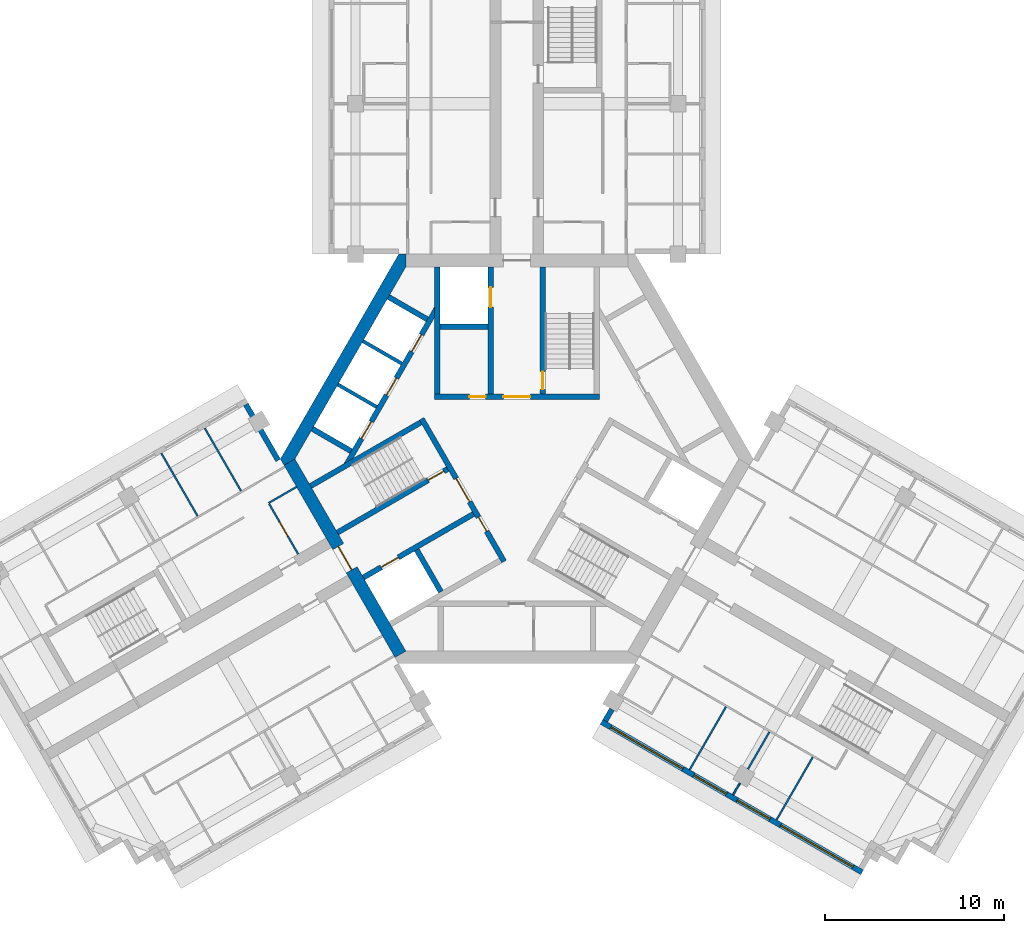
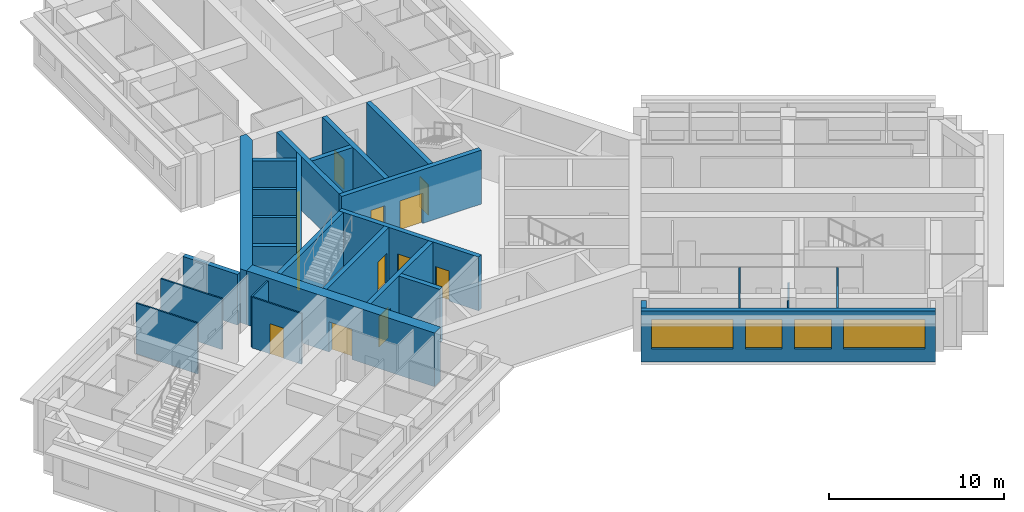
# One storey, part 4 of 10: 28 walls, 13 doors, 4 windows, 17 openings.
"""IFC4 building model written with IfcOpenShell, lengths in metres."""

import ifcopenshell
import ifcopenshell.guid

model = None  # the IFC model being written
_history = None  # IfcOwnerHistory: only IFC2X3 demands one
_inside = {}  # id of a spatial element -> (the spatial element, [elements in it])
_under = {}  # id of a project, library or spatial element -> (it, [spatial elements below it])
_declared = {}  # id of a project -> (the project, [libraries it declares])
_typed = {}  # id of a type object -> (the type object, [elements of that type])
_made_of = {}  # id of a material, layer set ... -> (it, [elements and type objects made of it])


def new_model(schema):
    """Start an empty IFC model of exactly this schema.

    Asked for "IFC4X3", IfcOpenShell would pick the latest addendum, in which some entities
    have other attributes; the version numbers below select the first issue.
    IFC2X3 requires an IfcOwnerHistory on every rooted entity: one is made here for all.
    """
    global model, _history
    if schema == "IFC4X3":
        model = ifcopenshell.file(schema_version=(4, 3, 0, 0))
    else:
        model = ifcopenshell.file(schema=schema)
    _inside.clear()
    _under.clear()
    _declared.clear()
    _typed.clear()
    _made_of.clear()
    _history = None
    if model.schema == "IFC2X3":
        org = make("IfcOrganization", Name="unknown")
        user = make(
            "IfcPersonAndOrganization",
            ThePerson=make("IfcPerson", FamilyName="unknown"),
            TheOrganization=org,
        )
        app = make(
            "IfcApplication",
            ApplicationDeveloper=org,
            Version="unknown",
            ApplicationFullName="unknown",
            ApplicationIdentifier="unknown",
        )
        _history = make(
            "IfcOwnerHistory",
            OwningUser=user,
            OwningApplication=app,
            ChangeAction="ADDED",
            CreationDate=0,
        )
    return model


def make(cls, **values):
    """One entity of the class cls with the attributes given. An attribute that is None is left unset."""
    return model.create_entity(
        cls, **{name: value for name, value in values.items() if value is not None}
    )


def rooted(cls, **values):
    """An entity with a GlobalId (a new one), such as an element, a storey or a relation."""
    return make(cls, GlobalId=ifcopenshell.guid.new(), OwnerHistory=_history, **values)


def si_unit(unit_type, name, prefix=None):
    """IfcSIUnit, for example si_unit("LENGTHUNIT", "METRE", prefix="MILLI")."""
    return make("IfcSIUnit", UnitType=unit_type, Prefix=prefix, Name=name)


def assignment(units):
    """IfcUnitAssignment: the units of a project."""
    return None if units is None else make("IfcUnitAssignment", Units=units)


def point(xyz):
    """IfcCartesianPoint."""
    return None if xyz is None else make("IfcCartesianPoint", Coordinates=xyz)


def direction(xyz):
    """IfcDirection."""
    return None if xyz is None else make("IfcDirection", DirectionRatios=xyz)


def frame(location, z_axis=None, x_axis=None):
    """IfcAxis2Placement3D, a coordinate frame: its origin and axes. An axis left out is left unset."""
    return make(
        "IfcAxis2Placement3D",
        Location=point(location),
        Axis=direction(z_axis),
        RefDirection=direction(x_axis),
    )


def frame_2d(location, x_axis=None):
    """IfcAxis2Placement2D, a coordinate frame in the plane: its origin and x axis."""
    return make(
        "IfcAxis2Placement2D", Location=point(location), RefDirection=direction(x_axis)
    )


def origin():
    """The frame at (0, 0, 0) with its axes left unset."""
    return frame((0.0, 0.0, 0.0))


def place(relative_to, where):
    """IfcLocalPlacement: puts the frame where relative to a parent placement (None: the world)."""
    return make(
        "IfcLocalPlacement", PlacementRelTo=relative_to, RelativePlacement=where
    )


def context(
    kind, dimensions, precision=None, world=None, true_north=None, identifier=None
):
    """IfcGeometricRepresentationContext, for example the 3D "Model" context."""
    return make(
        "IfcGeometricRepresentationContext",
        ContextIdentifier=identifier,
        ContextType=kind,
        CoordinateSpaceDimension=dimensions,
        Precision=precision,
        WorldCoordinateSystem=world,
        TrueNorth=true_north,
    )


def subcontext(parent, identifier, kind, view, scale=None):
    """IfcGeometricRepresentationSubContext, for example "Body" below "Model"."""
    return make(
        "IfcGeometricRepresentationSubContext",
        ContextIdentifier=identifier,
        ContextType=kind,
        ParentContext=parent,
        TargetScale=scale,
        TargetView=view,
    )


def project(units=None, contexts=None):
    """IfcProject with its units and contexts."""
    return rooted(
        "IfcProject",
        Name="project",
        RepresentationContexts=contexts,
        UnitsInContext=assignment(units),
    )


def spatial(cls, under=None, at=None, **own):
    """A site, building, storey or space (cls), placed at a placement, below another one or the project."""
    s = rooted(cls, ObjectPlacement=at, **own)
    if under is not None:
        _under.setdefault(under.id(), (under, []))[1].append(s)
    return s


def polyline(points):
    """IfcPolyline through the points."""
    return make("IfcPolyline", Points=[point(p) for p in points])


def profile(cls, at=None, kind="AREA", **sizes):
    """A parametric profile (cls). Its sizes go by their IFC names, for example OverallWidth=200.0."""
    return make(cls, ProfileType=kind, Position=at, **sizes)


def rectangle(**sizes):
    """IfcRectangleProfileDef."""
    return profile("IfcRectangleProfileDef", **sizes)


def outline(outer, holes=None, kind="AREA"):
    """IfcArbitraryClosedProfileDef: a profile drawn as a closed curve; with holes, ...WithVoids."""
    if holes is None:
        return make("IfcArbitraryClosedProfileDef", ProfileType=kind, OuterCurve=outer)
    return make(
        "IfcArbitraryProfileDefWithVoids",
        ProfileType=kind,
        OuterCurve=outer,
        InnerCurves=holes,
    )


def extrude(swept, where, along, depth):
    """IfcExtrudedAreaSolid: the profile swept, set in the frame where, extruded along a direction by depth."""
    return make(
        "IfcExtrudedAreaSolid",
        SweptArea=swept,
        Position=where,
        ExtrudedDirection=direction(along),
        Depth=depth,
    )


def shape(context_of_items, identifier, shape_type, items):
    """IfcShapeRepresentation: the items that make up one representation, for example the "Body"."""
    return make(
        "IfcShapeRepresentation",
        ContextOfItems=context_of_items,
        RepresentationIdentifier=identifier,
        RepresentationType=shape_type,
        Items=items,
    )


def material(Name=None, Category=None):
    """IfcMaterial."""
    return make("IfcMaterial", Name=Name, Category=Category)


def layer(
    of_material, thickness, ventilated=None, Name=None, Category=None, Priority=None
):
    """IfcMaterialLayer: one layer of a wall or slab, of a material (None: an air gap)."""
    return make(
        "IfcMaterialLayer",
        Material=of_material,
        LayerThickness=thickness,
        IsVentilated=ventilated,
        Name=Name,
        Category=Category,
        Priority=Priority,
    )


def layer_set(layers, Name=None):
    """IfcMaterialLayerSet."""
    return make("IfcMaterialLayerSet", MaterialLayers=layers, LayerSetName=Name)


def made_of(thing, what):
    """Note that an element or type object is made of a material, layer set ...; save() writes the relation."""
    if what is not None:
        _made_of.setdefault(what.id(), (what, []))[1].append(thing)
    return thing


def type_object(cls, material=None, **own):
    """A type object (cls), such as IfcWallType, which elements share."""
    return made_of(rooted(cls, **own), material)


def element(
    cls,
    number,
    at=None,
    inside=None,
    cuts=None,
    type_object=None,
    material=None,
    context=None,
    identifier="Body",
    shape_type=None,
    held_by="IfcProductDefinitionShape",
    body=None,
    shapes=None,
    **own,
):
    """One element of the class cls, such as IfcWall. Its Tag is "e" and its number.

    at: its placement. inside: the storey or other place that contains it. cuts: it is an
    opening in that element (IfcRelVoidsElement). A single representation is given by context,
    identifier, shape_type and body (its items); several are given by shapes. held_by: the class
    of the entity that holds the representations. save() writes the other relations.
    """
    e = rooted(cls, Tag="e%d" % number, ObjectPlacement=at, **own)
    if body is not None:
        shapes = [shape(context, identifier, shape_type, body)]
    if shapes is not None:
        e.Representation = make(held_by, Representations=shapes)
    if inside is not None:
        _inside.setdefault(inside.id(), (inside, []))[1].append(e)
    if cuts is not None:
        rooted(
            "IfcRelVoidsElement", RelatingBuildingElement=cuts, RelatedOpeningElement=e
        )
    if type_object is not None:
        _typed.setdefault(type_object.id(), (type_object, []))[1].append(e)
    return made_of(e, material)


def fill(opening, filler):
    """IfcRelFillsElement: the door or window that sits in an opening."""
    return rooted(
        "IfcRelFillsElement",
        RelatingOpeningElement=opening,
        RelatedBuildingElement=filler,
    )


def aggregate(whole, parts):
    """IfcRelAggregates: a whole, such as a stair, and the parts it consists of."""
    return rooted("IfcRelAggregates", RelatingObject=whole, RelatedObjects=parts)


def save(model, path):
    """Write the relations noted so far, then the file.

    IfcRelAggregates (storeys below a building ...), IfcRelContainedInSpatialStructure (elements
    in a storey), IfcRelDefinesByType, IfcRelAssociatesMaterial and IfcRelDeclares: one each for
    every whole, place, type object, material and project.
    """
    for whole, parts in _under.values():
        aggregate(whole, parts)
    for where, things in _inside.values():
        rooted(
            "IfcRelContainedInSpatialStructure",
            RelatedElements=things,
            RelatingStructure=where,
        )
    for kind, things in _typed.values():
        rooted("IfcRelDefinesByType", RelatedObjects=things, RelatingType=kind)
    for what, things in _made_of.values():
        rooted("IfcRelAssociatesMaterial", RelatedObjects=things, RelatingMaterial=what)
    for by, libraries in _declared.values():
        rooted("IfcRelDeclares", RelatingContext=by, RelatedDefinitions=libraries)
    model.write(path)


model = new_model("IFC4")

# Units and contexts
model_context = context("Model", 3, precision=1e-05, world=origin(), true_north=direction((0.0, 1.0)))
body_context = subcontext(model_context, "Body", "Model", "MODEL_VIEW")
ifc_project = project(units=[si_unit("LENGTHUNIT", "METRE"), si_unit("AREAUNIT", "SQUARE_METRE"), si_unit("VOLUMEUNIT", "CUBIC_METRE"), si_unit("PLANEANGLEUNIT", "RADIAN"), si_unit("MASSUNIT", "GRAM", prefix="KILO")], contexts=[model_context])

# Site, building, storey
site_placement = place(None, origin())
site = spatial("IfcSite", under=ifc_project, at=site_placement, CompositionType="ELEMENT")
building_placement = place(site_placement, origin())
building = spatial("IfcBuilding", under=site, at=building_placement, Name="Impinga Residences", CompositionType="ELEMENT")
storey_placement = place(building_placement, frame((0.0, 0.0, 267.25)))
storey = spatial("IfcBuildingStorey", under=building, at=storey_placement, Name="L67", CompositionType="ELEMENT", Elevation=267.25)

# Wall
ifc_material_1 = material(Name="Terracotta rainscreen on blockwork", Category="masonry")
ifc_layer_1 = layer(ifc_material_1, 0.300048828125)
ifc_layer_set_1 = layer_set([ifc_layer_1], Name="EW1 external wall, terracotta rainscreen on blockwork 300")
wall_type_1 = type_object("IfcWallType", Name="EW1 external wall, terracotta rainscreen on blockwork 300", PredefinedType="SOLIDWALL", material=ifc_layer_set_1)
wall_1_placement = place(storey_placement, frame((-15.1298828125, 3.042724609375, 0.0), z_axis=(0.0, 0.0, 1.0), x_axis=(0.500012057535, -0.866018442252, 0.0)))
element("IfcWall", 1, at=wall_1_placement, inside=storey, type_object=wall_type_1, Name="External wall EW1 L67", PredefinedType="SOLIDWALL", context=body_context, shape_type="SweptSolid", body=[
    extrude(rectangle(XDim=3.60009765625, YDim=0.300048828125, at=frame_2d((1.800048828125, 0.0))), origin(), (0.0, 0.0, 1.0), 3.530029296875),
])

# Wall, openings, windows
wall_2_placement = place(storey_placement, frame((19.274169921875, -23.0791015625, 0.0), z_axis=(0.0, 0.0, 1.0), x_axis=(-0.86602562146, 0.499999622975, 0.0)))
wall_2 = element("IfcWall", 2, at=wall_2_placement, inside=storey, type_object=wall_type_1, Name="External wall EW1 L67", PredefinedType="SOLIDWALL", context=body_context, shape_type="SweptSolid", body=[
    extrude(rectangle(XDim=16.7998046875, YDim=0.300048828125, at=frame_2d((8.39990234375, 0.0))), origin(), (0.0, 0.0, 1.0), 3.530029296875),
])
opening_1_placement = place(wall_2_placement, frame((0.60009765625, 0.0, 0.89990234375)))
opening_1 = element("IfcOpeningElement", 3, at=opening_1_placement, cuts=wall_2, Name="Opening W10", PredefinedType="OPENING", context=body_context, shape_type="SweptSolid", body=[
    extrude(rectangle(XDim=4.64990234375, YDim=2.050048828125, at=frame_2d((2.324951171875, 1.02490234375))), frame((0.0, 0.159912109375, 0.0), z_axis=(0.0, -1.0, 0.0), x_axis=(1.0, 0.0, 0.0)), (0.0, 0.0, 1.0), 0.320068359375),
])
opening_2_placement = place(wall_2_placement, frame((5.949951171875, 0.0, 0.89990234375)))
opening_2 = element("IfcOpeningElement", 4, at=opening_2_placement, cuts=wall_2, Name="Opening W9", PredefinedType="OPENING", context=body_context, shape_type="SweptSolid", body=[
    extrude(rectangle(XDim=2.10009765625, YDim=2.050048828125, at=frame_2d((1.050048828125, 1.02490234375))), frame((0.0, 0.159912109375, 0.0), z_axis=(0.0, -1.0, 0.0), x_axis=(1.0, 0.0, 0.0)), (0.0, 0.0, 1.0), 0.320068359375),
])
opening_3_placement = place(wall_2_placement, frame((8.75, 0.0, 0.89990234375)))
opening_3 = element("IfcOpeningElement", 5, at=opening_3_placement, cuts=wall_2, Name="Opening W9", PredefinedType="OPENING", context=body_context, shape_type="SweptSolid", body=[
    extrude(rectangle(XDim=2.10009765625, YDim=2.050048828125, at=frame_2d((1.050048828125, 1.02490234375))), frame((0.0, 0.159912109375, 0.0), z_axis=(0.0, -1.0, 0.0), x_axis=(1.0, 0.0, 0.0)), (0.0, 0.0, 1.0), 0.320068359375),
])
opening_4_placement = place(wall_2_placement, frame((11.550048828125, 0.0, 0.89990234375)))
opening_4 = element("IfcOpeningElement", 6, at=opening_4_placement, cuts=wall_2, Name="Opening W10", PredefinedType="OPENING", context=body_context, shape_type="SweptSolid", body=[
    extrude(rectangle(XDim=4.64990234375, YDim=2.050048828125, at=frame_2d((2.324951171875, 1.02490234375))), frame((0.0, 0.159912109375, 0.0), z_axis=(0.0, -1.0, 0.0), x_axis=(1.0, 0.0, 0.0)), (0.0, 0.0, 1.0), 0.320068359375),
])
ifc_material_2 = material(Name="Aluminium window, clear double glazing", Category="aluminium")
window_type_1 = type_object("IfcWindowType", Name="W10 ribbon window 4650x2050", PartitioningType="SINGLE_PANEL", PredefinedType="WINDOW", material=ifc_material_2)
window_1_placement = place(opening_1_placement, origin())
window_1 = element("IfcWindow", 7, at=window_1_placement, inside=storey, type_object=window_type_1, Name="Window L67", OverallHeight=2.050048828125, OverallWidth=4.64990234375, PartitioningType="SINGLE_PANEL", PredefinedType="WINDOW", context=body_context, shape_type="SweptSolid", body=[
    extrude(rectangle(XDim=4.64990234375, YDim=2.050048828125, at=frame_2d((2.324951171875, 1.02490234375))), frame((0.0, 0.030029296875, 0.0), z_axis=(0.0, -1.0, 0.0), x_axis=(1.0, 0.0, 0.0)), (0.0, 0.0, 1.0), 0.06005859375),
])
fill(opening_1, window_1)
window_2_placement = place(opening_4_placement, origin())
window_2 = element("IfcWindow", 8, at=window_2_placement, inside=storey, type_object=window_type_1, Name="Window L67", OverallHeight=2.050048828125, OverallWidth=4.64990234375, PartitioningType="SINGLE_PANEL", PredefinedType="WINDOW", context=body_context, shape_type="SweptSolid", body=[
    extrude(rectangle(XDim=4.64990234375, YDim=2.050048828125, at=frame_2d((2.324951171875, 1.02490234375))), frame((0.0, 0.030029296875, 0.0), z_axis=(0.0, -1.0, 0.0), x_axis=(1.0, 0.0, 0.0)), (0.0, 0.0, 1.0), 0.06005859375),
])
fill(opening_4, window_2)
window_type_2 = type_object("IfcWindowType", Name="W9 ribbon window 2100x2050", PartitioningType="SINGLE_PANEL", PredefinedType="WINDOW", material=ifc_material_2)
window_3_placement = place(opening_2_placement, origin())
window_3 = element("IfcWindow", 9, at=window_3_placement, inside=storey, type_object=window_type_2, Name="Window L67", OverallHeight=2.050048828125, OverallWidth=2.10009765625, PartitioningType="SINGLE_PANEL", PredefinedType="WINDOW", context=body_context, shape_type="SweptSolid", body=[
    extrude(rectangle(XDim=2.10009765625, YDim=2.050048828125, at=frame_2d((1.050048828125, 1.02490234375))), frame((0.0, 0.030029296875, 0.0), z_axis=(0.0, -1.0, 0.0), x_axis=(1.0, 0.0, 0.0)), (0.0, 0.0, 1.0), 0.06005859375),
])
fill(opening_2, window_3)
window_4_placement = place(opening_3_placement, origin())
window_4 = element("IfcWindow", 10, at=window_4_placement, inside=storey, type_object=window_type_2, Name="Window L67", OverallHeight=2.050048828125, OverallWidth=2.10009765625, PartitioningType="SINGLE_PANEL", PredefinedType="WINDOW", context=body_context, shape_type="SweptSolid", body=[
    extrude(rectangle(XDim=2.10009765625, YDim=2.050048828125, at=frame_2d((1.050048828125, 1.02490234375))), frame((0.0, 0.030029296875, 0.0), z_axis=(0.0, -1.0, 0.0), x_axis=(1.0, 0.0, 0.0)), (0.0, 0.0, 1.0), 0.06005859375),
])
fill(opening_3, window_4)

# Walls
wall_3_placement = place(storey_placement, frame((4.929931640625, -14.624267578125, 0.0), z_axis=(0.0, 0.0, 1.0), x_axis=(0.499919672301, 0.866071776036, 0.0)))
element("IfcWall", 11, at=wall_3_placement, inside=storey, type_object=wall_type_1, Name="External wall EW1 L67", PredefinedType="SOLIDWALL", context=body_context, shape_type="SweptSolid", body=[
    extrude(rectangle(XDim=0.75, YDim=0.300048828125, at=frame_2d((0.375, 0.0))), origin(), (0.0, 0.0, 1.0), 3.530029296875),
])
ifc_material_3 = material(Name="Gypsum board on steel studs", Category="steel")
ifc_layer_2 = layer(ifc_material_3, 0.10009765625)
ifc_layer_set_2 = layer_set([ifc_layer_2], Name="Gypsum board on steel studs")
wall_type_2 = type_object("IfcWallType", Name="IP1 partition 100", PredefinedType="PARTITIONING", material=ifc_layer_set_2)
wall_4_placement = place(storey_placement, frame((-12.300048828125, -1.558837890625, 0.0), z_axis=(0.0, 0.0, 1.0), x_axis=(-0.866047807691, -0.499961193289, 0.0)))
element("IfcWall", 12, at=wall_4_placement, inside=storey, type_object=wall_type_2, Name="Partition L67-WF1:DIV0", PredefinedType="PARTITIONING", context=body_context, shape_type="SweptSolid", body=[
    extrude(rectangle(XDim=1.800048828125, YDim=0.10009765625, at=frame_2d((0.89990234375, 0.0))), origin(), (0.0, 0.0, 1.0), 3.530029296875),
])

# Wall, opening, door
wall_5_placement = place(storey_placement, frame((-12.208740234375, -5.316650390625, 0.0), z_axis=(0.0, 0.0, 1.0), x_axis=(-0.500017246033, 0.866015446554, 0.0)))
wall_5 = element("IfcWall", 13, at=wall_5_placement, inside=storey, type_object=wall_type_2, Name="Partition L67-WF1:IB1", PredefinedType="PARTITIONING", context=body_context, shape_type="SweptSolid", body=[
    extrude(rectangle(XDim=3.25, YDim=0.10009765625, at=frame_2d((1.625, 0.0))), origin(), (0.0, 0.0, 1.0), 3.530029296875),
])
opening_5_placement = place(wall_5_placement, frame((1.175048828125, 0.0, 0.0)))
opening_5 = element("IfcOpeningElement", 14, at=opening_5_placement, cuts=wall_5, Name="Opening D2", PredefinedType="OPENING", context=body_context, shape_type="SweptSolid", body=[
    extrude(rectangle(XDim=0.89990234375, YDim=2.10009765625, at=frame_2d((0.449951171875, 1.050048828125))), frame((0.0, 0.06005859375, 0.0), z_axis=(0.0, -1.0, 0.0), x_axis=(1.0, 0.0, 0.0)), (0.0, 0.0, 1.0), 0.1201171875),
])
ifc_material_4 = material(Name="Timber door set", Category="wood")
door_type_1 = type_object("IfcDoorType", Name="D2 internal door 900x2100", OperationType="SINGLE_SWING_LEFT", PredefinedType="DOOR", material=ifc_material_4)
door_1_placement = place(opening_5_placement, origin())
door_1 = element("IfcDoor", 15, at=door_1_placement, inside=storey, type_object=door_type_1, Name="Apartment L67-WF1 bathroom door", OperationType="SINGLE_SWING_LEFT", OverallHeight=2.10009765625, OverallWidth=0.89990234375, PredefinedType="DOOR", context=body_context, shape_type="SweptSolid", body=[
    extrude(rectangle(XDim=0.89990234375, YDim=2.10009765625, at=frame_2d((0.449951171875, 1.050048828125))), frame((0.0, 0.02490234375, 0.0), z_axis=(0.0, -1.0, 0.0), x_axis=(1.0, 0.0, 0.0)), (0.0, 0.0, 1.0), 0.050048828125),
])
fill(opening_5, door_1)

# Walls
for number, where, z_axis, x_axis, name in (
    (16, (-15.39990234375, -1.789794921875, 0.0), (0.0, 0.0, 1.0), (-0.499964223975, 0.866046058097, 0.0), "Partition L67-WF1:OB1"),
    (17, (-17.82470703125, -3.189697265625, 0.0), (0.0, 0.0, 1.0), (-0.500035537042, 0.866004885491, 0.0), "Partition L67-WF1:OB2"),
    (18, (11.6748046875, -13.841796875, 0.0), (0.0, 0.0, 1.0), (-0.500035537042, -0.866004885491, 0.0), "Partition L67-EF1:OB1"),
):
    element("IfcWall", number, at=place(storey_placement, frame(where, z_axis=z_axis, x_axis=x_axis)), inside=storey, type_object=wall_type_2, Name=name, PredefinedType="PARTITIONING", context=body_context, shape_type="SweptSolid", body=[
        extrude(rectangle(XDim=4.050048828125, YDim=0.10009765625, at=frame_2d((2.02490234375, 0.0))), origin(), (0.0, 0.0, 1.0), 3.530029296875),
    ])
wall_6_placement = place(storey_placement, frame((14.099609375, -15.241943359375, 0.0), z_axis=(0.0, 0.0, 1.0), x_axis=(-0.500001309137, -0.866024647952, 0.0)))
element("IfcWall", 19, at=wall_6_placement, inside=storey, type_object=wall_type_2, Name="Partition L67-EF1:OB2", PredefinedType="PARTITIONING", context=body_context, shape_type="SweptSolid", body=[
    extrude(rectangle(XDim=2.39990234375, YDim=0.10009765625, at=frame_2d((1.199951171875, 0.0))), origin(), (0.0, 0.0, 1.0), 2.47998046875),
])
wall_7_placement = place(storey_placement, frame((12.44970703125, -18.099609375, 0.0), z_axis=(0.0, 0.0, 1.0), x_axis=(-0.499919672301, -0.866071776036, 0.0)))
element("IfcWall", 20, at=wall_7_placement, inside=storey, type_object=wall_type_2, Name="Partition L67-EF1:OB2b", PredefinedType="PARTITIONING", context=body_context, shape_type="SweptSolid", body=[
    extrude(rectangle(XDim=0.75, YDim=0.10009765625, at=frame_2d((0.375, 0.0))), origin(), (0.0, 0.0, 1.0), 3.530029296875),
])
wall_8_placement = place(storey_placement, frame((16.5244140625, -16.641845703125, 0.0), z_axis=(0.0, 0.0, 1.0), x_axis=(-0.499990325971, -0.866030989016, 0.0)))
element("IfcWall", 21, at=wall_8_placement, inside=storey, type_object=wall_type_2, Name="Partition L67-EF1:OB3", PredefinedType="PARTITIONING", context=body_context, shape_type="SweptSolid", body=[
    extrude(rectangle(XDim=4.0498046875, YDim=0.10009765625, at=frame_2d((2.02490234375, 0.0))), origin(), (0.0, 0.0, 1.0), 3.530029296875),
])

# Wall, opening, door
ifc_material_5 = material(Name="Concrete C60/75", Category="concrete")
ifc_layer_3 = layer(ifc_material_5, 0.699951171875)
ifc_layer_set_3 = layer_set([ifc_layer_3], Name="Concrete C60/75")
wall_type_3 = type_object("IfcWallType", Name="SW3 core wall 700", PredefinedType="SHEAR", material=ifc_layer_set_3)
wall_9_placement = place(storey_placement, frame((-6.4990234375, -10.906494140625, 0.0), z_axis=(0.0, 0.0, 1.0), x_axis=(-0.499999875397, 0.866025475724, 0.0)))
wall_9 = element("IfcWall", 22, at=wall_9_placement, inside=storey, type_object=wall_type_3, Name="Core wall SW3 W:FACE L67", PredefinedType="SHEAR", context=body_context, shape_type="SweptSolid", body=[
    extrude(rectangle(XDim=12.3916015625, YDim=0.699951171875, at=frame_2d((6.19580078125, 0.0))), origin(), (0.0, 0.0, 1.0), 3.75),
])
opening_6_placement = place(wall_9_placement, frame((5.44580078125, 0.0, 0.0)))
opening_6 = element("IfcOpeningElement", 23, at=opening_6_placement, cuts=wall_9, Name="Opening D4", PredefinedType="OPENING", context=body_context, shape_type="SweptSolid", body=[
    extrude(rectangle(XDim=1.5, YDim=2.10009765625, at=frame_2d((0.75, 1.050048828125))), frame((0.0, 0.35986328125, 0.0), z_axis=(0.0, -1.0, 0.0), x_axis=(1.0, 0.0, 0.0)), (0.0, 0.0, 1.0), 0.719970703125),
])
door_type_2 = type_object("IfcDoorType", Name="D4 lobby door pair 1500x2100", OperationType="DOUBLE_DOOR_DOUBLE_SWING", PredefinedType="DOOR", material=ifc_material_4)
door_2_placement = place(opening_6_placement, origin())
door_2 = element("IfcDoor", 24, at=door_2_placement, inside=storey, type_object=door_type_2, Name="Lobby door W", OperationType="DOUBLE_DOOR_DOUBLE_SWING", OverallHeight=2.10009765625, OverallWidth=1.5, PredefinedType="DOOR", context=body_context, shape_type="SweptSolid", body=[
    extrude(rectangle(XDim=1.5, YDim=2.10009765625, at=frame_2d((0.75, 1.050048828125))), frame((0.0, 0.02490234375, 0.0), z_axis=(0.0, -1.0, 0.0), x_axis=(1.0, 0.0, 0.0)), (0.0, 0.0, 1.0), 0.050048828125),
])
fill(opening_6, door_2)

# Wall
wall_10_placement = place(storey_placement, origin())
element("IfcWall", 25, at=wall_10_placement, inside=storey, type_object=wall_type_3, Name="Core wall SW3 E:EXPOSED L67", PredefinedType="SHEAR", context=body_context, shape_type="SweptSolid", body=[
    extrude(outline(polyline([(-6.60009765625, 11.431640625), (-13.199951171875, 0.0), (-12.998046875, -0.35009765625), (-12.3916015625, 0.0), (-6.19580078125, 10.7314453125), (-6.19580078125, 11.431640625), (-6.60009765625, 11.431640625)])), origin(), (0.0, 0.0, 1.0), 3.75),
])

# Wall, openings, doors
ifc_material_6 = material(Name="Concrete C70/85", Category="concrete")
ifc_layer_4 = layer(ifc_material_6, 0.300048828125)
ifc_layer_set_4 = layer_set([ifc_layer_4], Name="Concrete C70/85")
wall_type_4 = type_object("IfcWallType", Name="SW5 core inner wall, stairs, shafts and lobbies 300", PredefinedType="SHEAR", material=ifc_layer_set_4)
wall_11_placement = place(storey_placement, frame((-4.60009765625, 3.47998046875, 0.0), z_axis=(0.0, 0.0, 1.0), x_axis=(1.0, 0.0, 0.0)))
wall_11 = element("IfcWall", 26, at=wall_11_placement, inside=storey, type_object=wall_type_4, Name="Core wall SW5 N:ZONE L67", PredefinedType="SHEAR", context=body_context, shape_type="SweptSolid", body=[
    extrude(rectangle(XDim=9.2001953125, YDim=0.300048828125, at=frame_2d((4.60009765625, 0.0))), origin(), (0.0, 0.0, 1.0), 3.75),
])
opening_7_placement = place(wall_11_placement, frame((3.85009765625, 0.0, 0.0)))
opening_7 = element("IfcOpeningElement", 27, at=opening_7_placement, cuts=wall_11, Name="Opening D4", PredefinedType="OPENING", context=body_context, shape_type="SweptSolid", body=[
    extrude(rectangle(XDim=1.5, YDim=2.10009765625, at=frame_2d((0.75, 1.050048828125))), frame((0.0, 0.159912109375, 0.0), z_axis=(0.0, -1.0, 0.0), x_axis=(1.0, 0.0, 0.0)), (0.0, 0.0, 1.0), 0.320068359375),
])
opening_8_placement = place(wall_11_placement, frame((1.949951171875, 0.0, 0.0)))
opening_8 = element("IfcOpeningElement", 28, at=opening_8_placement, cuts=wall_11, Name="Opening D6", PredefinedType="OPENING", context=body_context, shape_type="SweptSolid", body=[
    extrude(rectangle(XDim=0.89990234375, YDim=2.10009765625, at=frame_2d((0.449951171875, 1.050048828125))), frame((0.0, 0.159912109375, 0.0), z_axis=(0.0, -1.0, 0.0), x_axis=(1.0, 0.0, 0.0)), (0.0, 0.0, 1.0), 0.320068359375),
])
door_3_placement = place(opening_7_placement, origin())
door_3 = element("IfcDoor", 29, at=door_3_placement, inside=storey, type_object=door_type_2, Name="Firefighting lobby door N", OperationType="DOUBLE_DOOR_DOUBLE_SWING", OverallHeight=2.10009765625, OverallWidth=1.5, PredefinedType="DOOR", context=body_context, shape_type="SweptSolid", body=[
    extrude(rectangle(XDim=1.5, YDim=2.10009765625, at=frame_2d((0.75, 1.050048828125))), frame((0.0, 0.02490234375, 0.0), z_axis=(0.0, -1.0, 0.0), x_axis=(1.0, 0.0, 0.0)), (0.0, 0.0, 1.0), 0.050048828125),
])
fill(opening_7, door_3)
door_type_3 = type_object("IfcDoorType", Name="D6 riser and store door 900x2100", OperationType="SINGLE_SWING_LEFT", PredefinedType="DOOR", material=ifc_material_4)
door_4_placement = place(opening_8_placement, origin())
door_4 = element("IfcDoor", 30, at=door_4_placement, inside=storey, type_object=door_type_3, Name="Riser door N", OperationType="SINGLE_SWING_LEFT", OverallHeight=2.10009765625, OverallWidth=0.89990234375, PredefinedType="DOOR", context=body_context, shape_type="SweptSolid", body=[
    extrude(rectangle(XDim=0.89990234375, YDim=2.10009765625, at=frame_2d((0.449951171875, 1.050048828125))), frame((0.0, 0.02490234375, 0.0), z_axis=(0.0, -1.0, 0.0), x_axis=(1.0, 0.0, 0.0)), (0.0, 0.0, 1.0), 0.050048828125),
])
fill(opening_8, door_4)

# Wall, opening, door
wall_12_placement = place(storey_placement, frame((1.449951171875, 3.6298828125, 0.0), z_axis=(0.0, 0.0, 1.0), x_axis=(0.0, 1.0, 0.0)))
wall_12 = element("IfcWall", 31, at=wall_12_placement, inside=storey, type_object=wall_type_4, Name="Core wall SW5 N:ST-IN L67", PredefinedType="SHEAR", context=body_context, shape_type="SweptSolid", body=[
    extrude(rectangle(XDim=7.1015625, YDim=0.300048828125, at=frame_2d((3.55078125, 0.0))), origin(), (0.0, 0.0, 1.0), 3.75),
])
opening_9_placement = place(wall_12_placement, frame((0.25, 0.0, 0.0)))
opening_9 = element("IfcOpeningElement", 32, at=opening_9_placement, cuts=wall_12, Name="Opening D5", PredefinedType="OPENING", context=body_context, shape_type="SweptSolid", body=[
    extrude(rectangle(XDim=1.0, YDim=2.10009765625, at=frame_2d((0.5, 1.050048828125))), frame((0.0, 0.159912109375, 0.0), z_axis=(0.0, -1.0, 0.0), x_axis=(1.0, 0.0, 0.0)), (0.0, 0.0, 1.0), 0.320068359375),
])
door_type_4 = type_object("IfcDoorType", Name="D5 stair door 1000x2100", OperationType="SINGLE_SWING_LEFT", PredefinedType="DOOR", material=ifc_material_4)
door_5_placement = place(opening_9_placement, origin())
door_5 = element("IfcDoor", 33, at=door_5_placement, inside=storey, type_object=door_type_4, Name="Stair door N", OperationType="SINGLE_SWING_LEFT", OverallHeight=2.10009765625, OverallWidth=1.0, PredefinedType="DOOR", context=body_context, shape_type="SweptSolid", body=[
    extrude(rectangle(XDim=1.0, YDim=2.10009765625, at=frame_2d((0.5, 1.050048828125))), frame((0.0, 0.02490234375, 0.0), z_axis=(0.0, -1.0, 0.0), x_axis=(1.0, 0.0, 0.0)), (0.0, 0.0, 1.0), 0.050048828125),
])
fill(opening_9, door_5)

wall_13_placement = place(storey_placement, frame((-1.449951171875, 3.6298828125, 0.0), z_axis=(0.0, 0.0, 1.0), x_axis=(0.0, 1.0, 0.0)))
wall_13 = element("IfcWall", 34, at=wall_13_placement, inside=storey, type_object=wall_type_4, Name="Core wall SW5 N:FF-IN L67", PredefinedType="SHEAR", context=body_context, shape_type="SweptSolid", body=[
    extrude(rectangle(XDim=7.1015625, YDim=0.300048828125, at=frame_2d((3.55078125, 0.0))), origin(), (0.0, 0.0, 1.0), 3.75),
])
opening_10_placement = place(wall_13_placement, frame((4.85009765625, 0.0, 0.0)))
opening_10 = element("IfcOpeningElement", 35, at=opening_10_placement, cuts=wall_13, Name="Opening LD2", PredefinedType="OPENING", context=body_context, shape_type="SweptSolid", body=[
    extrude(rectangle(XDim=1.10009765625, YDim=2.10009765625, at=frame_2d((0.550048828125, 1.050048828125))), frame((0.0, 0.159912109375, 0.0), z_axis=(0.0, -1.0, 0.0), x_axis=(1.0, 0.0, 0.0)), (0.0, 0.0, 1.0), 0.320068359375),
])
ifc_material_7 = material(Name="Steel lift landing door", Category="steel")
door_type_5 = type_object("IfcDoorType", Name="LD2 firefighting lift landing door 1100x2100", OperationType="DOUBLE_DOOR_SLIDING", PredefinedType="DOOR", material=ifc_material_7)
door_6_placement = place(opening_10_placement, origin())
door_6 = element("IfcDoor", 36, at=door_6_placement, inside=storey, type_object=door_type_5, Name="Firefighting lift landing door F1", OperationType="DOUBLE_DOOR_SLIDING", OverallHeight=2.10009765625, OverallWidth=1.10009765625, PredefinedType="DOOR", context=body_context, shape_type="SweptSolid", body=[
    extrude(rectangle(XDim=1.10009765625, YDim=2.10009765625, at=frame_2d((0.550048828125, 1.050048828125))), frame((0.0, 0.02490234375, 0.0), z_axis=(0.0, -1.0, 0.0), x_axis=(1.0, 0.0, 0.0)), (0.0, 0.0, 1.0), 0.050048828125),
])
fill(opening_10, door_6)

# Walls
wall_14_placement = place(storey_placement, frame((-4.449951171875, 3.6298828125, 0.0), z_axis=(0.0, 0.0, 1.0), x_axis=(0.0, 1.0, 0.0)))
element("IfcWall", 37, at=wall_14_placement, inside=storey, type_object=wall_type_4, Name="Core wall SW5 N:FF-OUT L67", PredefinedType="SHEAR", context=body_context, shape_type="SweptSolid", body=[
    extrude(rectangle(XDim=7.1015625, YDim=0.300048828125, at=frame_2d((3.55078125, 0.0))), origin(), (0.0, 0.0, 1.0), 3.75),
])
wall_15_placement = place(storey_placement, frame((-4.300048828125, 7.3798828125, 0.0), z_axis=(0.0, 0.0, 1.0), x_axis=(1.0, 0.0, 0.0)))
element("IfcWall", 38, at=wall_15_placement, inside=storey, type_object=wall_type_4, Name="Core wall SW5 N:FF-RS L67", PredefinedType="SHEAR", context=body_context, shape_type="SweptSolid", body=[
    extrude(rectangle(XDim=2.699951171875, YDim=0.300048828125, at=frame_2d((1.35009765625, 0.0))), origin(), (0.0, 0.0, 1.0), 3.75),
])

# Wall, openings, doors
wall_16_placement = place(storey_placement, frame((-0.7138671875, -5.7236328125, 0.0), z_axis=(0.0, 0.0, 1.0), x_axis=(-0.499995050369, 0.866028261437, 0.0)))
wall_16 = element("IfcWall", 39, at=wall_16_placement, inside=storey, type_object=wall_type_4, Name="Core wall SW5 W:ZONE L67", PredefinedType="SHEAR", context=body_context, shape_type="SweptSolid", body=[
    extrude(rectangle(XDim=9.19970703125, YDim=0.300048828125, at=frame_2d((4.599853515625, 0.0))), origin(), (0.0, 0.0, 1.0), 3.75),
])
opening_11_placement = place(wall_16_placement, frame((3.85009765625, 0.0, 0.0)))
opening_11 = element("IfcOpeningElement", 40, at=opening_11_placement, cuts=wall_16, Name="Opening D4", PredefinedType="OPENING", context=body_context, shape_type="SweptSolid", body=[
    extrude(rectangle(XDim=1.5, YDim=2.10009765625, at=frame_2d((0.75, 1.050048828125))), frame((0.0, 0.159912109375, 0.0), z_axis=(0.0, -1.0, 0.0), x_axis=(1.0, 0.0, 0.0)), (0.0, 0.0, 1.0), 0.320068359375),
])
opening_12_placement = place(wall_16_placement, frame((1.949951171875, 0.0, 0.0)))
opening_12 = element("IfcOpeningElement", 41, at=opening_12_placement, cuts=wall_16, Name="Opening D6", PredefinedType="OPENING", context=body_context, shape_type="SweptSolid", body=[
    extrude(rectangle(XDim=0.89990234375, YDim=2.10009765625, at=frame_2d((0.449951171875, 1.050048828125))), frame((0.0, 0.159912109375, 0.0), z_axis=(0.0, -1.0, 0.0), x_axis=(1.0, 0.0, 0.0)), (0.0, 0.0, 1.0), 0.320068359375),
])
door_7_placement = place(opening_11_placement, origin())
door_7 = element("IfcDoor", 42, at=door_7_placement, inside=storey, type_object=door_type_2, Name="Firefighting lobby door W", OperationType="DOUBLE_DOOR_DOUBLE_SWING", OverallHeight=2.10009765625, OverallWidth=1.5, PredefinedType="DOOR", context=body_context, shape_type="SweptSolid", body=[
    extrude(rectangle(XDim=1.5, YDim=2.10009765625, at=frame_2d((0.75, 1.050048828125))), frame((0.0, 0.02490234375, 0.0), z_axis=(0.0, -1.0, 0.0), x_axis=(1.0, 0.0, 0.0)), (0.0, 0.0, 1.0), 0.050048828125),
])
fill(opening_11, door_7)
door_8_placement = place(opening_12_placement, origin())
door_8 = element("IfcDoor", 43, at=door_8_placement, inside=storey, type_object=door_type_3, Name="Riser door W", OperationType="SINGLE_SWING_LEFT", OverallHeight=2.10009765625, OverallWidth=0.89990234375, PredefinedType="DOOR", context=body_context, shape_type="SweptSolid", body=[
    extrude(rectangle(XDim=0.89990234375, YDim=2.10009765625, at=frame_2d((0.449951171875, 1.050048828125))), frame((0.0, 0.02490234375, 0.0), z_axis=(0.0, -1.0, 0.0), x_axis=(1.0, 0.0, 0.0)), (0.0, 0.0, 1.0), 0.050048828125),
])
fill(opening_12, door_8)

# Wall, opening, door
wall_17_placement = place(storey_placement, frame((-3.86865234375, -0.559326171875, 0.0), z_axis=(0.0, 0.0, 1.0), x_axis=(-0.866025859768, -0.499999210213, 0.0)))
wall_17 = element("IfcWall", 44, at=wall_17_placement, inside=storey, type_object=wall_type_4, Name="Core wall SW5 W:ST-IN L67", PredefinedType="SHEAR", context=body_context, shape_type="SweptSolid", body=[
    extrude(rectangle(XDim=7.1015625, YDim=0.300048828125, at=frame_2d((3.55078125, 0.0))), origin(), (0.0, 0.0, 1.0), 3.75),
])
opening_13_placement = place(wall_17_placement, frame((0.25, 0.0, 0.0)))
opening_13 = element("IfcOpeningElement", 45, at=opening_13_placement, cuts=wall_17, Name="Opening D5", PredefinedType="OPENING", context=body_context, shape_type="SweptSolid", body=[
    extrude(rectangle(XDim=1.0, YDim=2.10009765625, at=frame_2d((0.5, 1.050048828125))), frame((0.0, 0.159912109375, 0.0), z_axis=(0.0, -1.0, 0.0), x_axis=(1.0, 0.0, 0.0)), (0.0, 0.0, 1.0), 0.320068359375),
])
door_9_placement = place(opening_13_placement, origin())
door_9 = element("IfcDoor", 46, at=door_9_placement, inside=storey, type_object=door_type_4, Name="Stair door W", OperationType="SINGLE_SWING_LEFT", OverallHeight=2.10009765625, OverallWidth=1.0, PredefinedType="DOOR", context=body_context, shape_type="SweptSolid", body=[
    extrude(rectangle(XDim=1.0, YDim=2.10009765625, at=frame_2d((0.5, 1.050048828125))), frame((0.0, 0.02490234375, 0.0), z_axis=(0.0, -1.0, 0.0), x_axis=(1.0, 0.0, 0.0)), (0.0, 0.0, 1.0), 0.050048828125),
])
fill(opening_13, door_9)

# Wall
wall_18_placement = place(storey_placement, frame((-5.36865234375, 2.038818359375, 0.0), z_axis=(0.0, 0.0, 1.0), x_axis=(-0.866025859768, -0.499999210213, 0.0)))
element("IfcWall", 47, at=wall_18_placement, inside=storey, type_object=wall_type_4, Name="Core wall SW5 W:ST-OUT L67", PredefinedType="SHEAR", context=body_context, shape_type="SweptSolid", body=[
    extrude(rectangle(XDim=7.1015625, YDim=0.300048828125, at=frame_2d((3.55078125, 0.0))), origin(), (0.0, 0.0, 1.0), 3.75),
])

# Wall, opening, door
wall_19_placement = place(storey_placement, frame((-2.418701171875, -3.07080078125, 0.0), z_axis=(0.0, 0.0, 1.0), x_axis=(-0.866025859768, -0.499999210213, 0.0)))
wall_19 = element("IfcWall", 48, at=wall_19_placement, inside=storey, type_object=wall_type_4, Name="Core wall SW5 W:FF-IN L67", PredefinedType="SHEAR", context=body_context, shape_type="SweptSolid", body=[
    extrude(rectangle(XDim=7.1015625, YDim=0.300048828125, at=frame_2d((3.55078125, 0.0))), origin(), (0.0, 0.0, 1.0), 3.75),
])
opening_14_placement = place(wall_19_placement, frame((4.85009765625, 0.0, 0.0)))
opening_14 = element("IfcOpeningElement", 49, at=opening_14_placement, cuts=wall_19, Name="Opening LD2", PredefinedType="OPENING", context=body_context, shape_type="SweptSolid", body=[
    extrude(rectangle(XDim=1.10009765625, YDim=2.10009765625, at=frame_2d((0.550048828125, 1.050048828125))), frame((0.0, 0.159912109375, 0.0), z_axis=(0.0, -1.0, 0.0), x_axis=(1.0, 0.0, 0.0)), (0.0, 0.0, 1.0), 0.320068359375),
])
door_10_placement = place(opening_14_placement, origin())
door_10 = element("IfcDoor", 50, at=door_10_placement, inside=storey, type_object=door_type_5, Name="Firefighting lift landing door F2", OperationType="DOUBLE_DOOR_SLIDING", OverallHeight=2.10009765625, OverallWidth=1.10009765625, PredefinedType="DOOR", context=body_context, shape_type="SweptSolid", body=[
    extrude(rectangle(XDim=1.10009765625, YDim=2.10009765625, at=frame_2d((0.550048828125, 1.050048828125))), frame((0.0, 0.02490234375, 0.0), z_axis=(0.0, -1.0, 0.0), x_axis=(1.0, 0.0, 0.0)), (0.0, 0.0, 1.0), 0.050048828125),
])
fill(opening_14, door_10)

# Wall
wall_20_placement = place(storey_placement, frame((-4.2412109375, -7.413818359375, 0.0), z_axis=(0.0, 0.0, 1.0), x_axis=(-0.500048589285, 0.86599734893, 0.0)))
element("IfcWall", 51, at=wall_20_placement, inside=storey, type_object=wall_type_4, Name="Core wall SW5 W:FF-RS L67", PredefinedType="SHEAR", context=body_context, shape_type="SweptSolid", body=[
    extrude(rectangle(XDim=2.699951171875, YDim=0.300048828125, at=frame_2d((1.35009765625, 0.0))), origin(), (0.0, 0.0, 1.0), 3.75),
])

# Wall, openings, doors
wall_21_placement = place(storey_placement, frame((-9.547607421875, -0.3740234375, 0.0), z_axis=(0.0, 0.0, 1.0), x_axis=(0.500002290144, 0.866024081565, 0.0)))
wall_21 = element("IfcWall", 52, at=wall_21_placement, inside=storey, type_object=wall_type_4, Name="Core wall SW5 E:BANK-FRONT L67", PredefinedType="SHEAR", context=body_context, shape_type="SweptSolid", body=[
    extrude(rectangle(XDim=10.1953125, YDim=0.300048828125, at=frame_2d((5.09765625, 0.0))), origin(), (0.0, 0.0, 1.0), 3.75),
])
opening_15_placement = place(wall_21_placement, frame((1.74755859375, 0.0, 0.0)))
opening_15 = element("IfcOpeningElement", 53, at=opening_15_placement, cuts=wall_21, Name="Opening LD1", PredefinedType="OPENING", context=body_context, shape_type="SweptSolid", body=[
    extrude(rectangle(XDim=1.10009765625, YDim=2.10009765625, at=frame_2d((0.550048828125, 1.050048828125))), frame((0.0, 0.159912109375, 0.0), z_axis=(0.0, -1.0, 0.0), x_axis=(1.0, 0.0, 0.0)), (0.0, 0.0, 1.0), 0.320068359375),
])
opening_16_placement = place(wall_21_placement, frame((4.547607421875, 0.0, 0.0)))
opening_16 = element("IfcOpeningElement", 54, at=opening_16_placement, cuts=wall_21, Name="Opening LD1", PredefinedType="OPENING", context=body_context, shape_type="SweptSolid", body=[
    extrude(rectangle(XDim=1.10009765625, YDim=2.10009765625, at=frame_2d((0.550048828125, 1.050048828125))), frame((0.0, 0.159912109375, 0.0), z_axis=(0.0, -1.0, 0.0), x_axis=(1.0, 0.0, 0.0)), (0.0, 0.0, 1.0), 0.320068359375),
])
opening_17_placement = place(wall_21_placement, frame((7.34765625, 0.0, 0.0)))
opening_17 = element("IfcOpeningElement", 55, at=opening_17_placement, cuts=wall_21, Name="Opening LD1", PredefinedType="OPENING", context=body_context, shape_type="SweptSolid", body=[
    extrude(rectangle(XDim=1.10009765625, YDim=2.10009765625, at=frame_2d((0.550048828125, 1.050048828125))), frame((0.0, 0.159912109375, 0.0), z_axis=(0.0, -1.0, 0.0), x_axis=(1.0, 0.0, 0.0)), (0.0, 0.0, 1.0), 0.320068359375),
])
door_type_6 = type_object("IfcDoorType", Name="LD1 passenger lift landing door 1100x2100", OperationType="DOUBLE_DOOR_SLIDING", PredefinedType="DOOR", material=ifc_material_7)
door_11_placement = place(opening_15_placement, origin())
door_11 = element("IfcDoor", 56, at=door_11_placement, inside=storey, type_object=door_type_6, Name="Lift landing door P7", OperationType="DOUBLE_DOOR_SLIDING", OverallHeight=2.10009765625, OverallWidth=1.10009765625, PredefinedType="DOOR", context=body_context, shape_type="SweptSolid", body=[
    extrude(rectangle(XDim=1.10009765625, YDim=2.10009765625, at=frame_2d((0.550048828125, 1.050048828125))), frame((0.0, 0.02490234375, 0.0), z_axis=(0.0, -1.0, 0.0), x_axis=(1.0, 0.0, 0.0)), (0.0, 0.0, 1.0), 0.050048828125),
])
fill(opening_15, door_11)
door_12_placement = place(opening_16_placement, origin())
door_12 = element("IfcDoor", 57, at=door_12_placement, inside=storey, type_object=door_type_6, Name="Lift landing door P8", OperationType="DOUBLE_DOOR_SLIDING", OverallHeight=2.10009765625, OverallWidth=1.10009765625, PredefinedType="DOOR", context=body_context, shape_type="SweptSolid", body=[
    extrude(rectangle(XDim=1.10009765625, YDim=2.10009765625, at=frame_2d((0.550048828125, 1.050048828125))), frame((0.0, 0.02490234375, 0.0), z_axis=(0.0, -1.0, 0.0), x_axis=(1.0, 0.0, 0.0)), (0.0, 0.0, 1.0), 0.050048828125),
])
fill(opening_16, door_12)
door_13_placement = place(opening_17_placement, origin())
door_13 = element("IfcDoor", 58, at=door_13_placement, inside=storey, type_object=door_type_6, Name="Lift landing door P9", OperationType="DOUBLE_DOOR_SLIDING", OverallHeight=2.10009765625, OverallWidth=1.10009765625, PredefinedType="DOOR", context=body_context, shape_type="SweptSolid", body=[
    extrude(rectangle(XDim=1.10009765625, YDim=2.10009765625, at=frame_2d((0.550048828125, 1.050048828125))), frame((0.0, 0.02490234375, 0.0), z_axis=(0.0, -1.0, 0.0), x_axis=(1.0, 0.0, 0.0)), (0.0, 0.0, 1.0), 0.050048828125),
])
fill(opening_17, door_13)

# Walls
for number, where, z_axis, x_axis, name in (
    (59, (-9.253662109375, 0.43505859375, 0.0), (0.0, 0.0, 1.0), (-0.866022959057, 0.500004234368, 0.0), "Core wall SW5 E:BANK-L L67"),
    (60, (-5.003662109375, 7.79638671875, 0.0), (0.0, 0.0, 1.0), (-0.866022959057, 0.500004234368, 0.0), "Core wall SW5 E:BANK-R L67"),
):
    element("IfcWall", number, at=place(storey_placement, frame(where, z_axis=z_axis, x_axis=x_axis)), inside=storey, type_object=wall_type_4, Name=name, PredefinedType="SHEAR", context=body_context, shape_type="SweptSolid", body=[
        extrude(rectangle(XDim=2.5, YDim=0.300048828125, at=frame_2d((1.25, 0.0))), origin(), (0.0, 0.0, 1.0), 3.75),
    ])
ifc_layer_5 = layer(ifc_material_6, 0.199951171875)
ifc_layer_set_5 = layer_set([ifc_layer_5], Name="Concrete C70/85")
wall_type_5 = type_object("IfcWallType", Name="SW6 lift shaft divider wall 200", PredefinedType="SHEAR", material=ifc_layer_set_5)
wall_22_placement = place(storey_placement, frame((-7.82861328125, 2.9033203125, 0.0), z_axis=(0.0, 0.0, 1.0), x_axis=(-0.866047370643, 0.499961950354, 0.0)))
element("IfcWall", 61, at=wall_22_placement, inside=storey, type_object=wall_type_5, Name="Core wall SW6 E:BANK-D1 L67", PredefinedType="SHEAR", context=body_context, shape_type="SweptSolid", body=[
    extrude(rectangle(XDim=2.500244140625, YDim=0.199951171875, at=frame_2d((1.25, 0.0))), origin(), (0.0, 0.0, 1.0), 3.75),
])
wall_23_placement = place(storey_placement, frame((-6.4287109375, 5.328125, 0.0), z_axis=(0.0, 0.0, 1.0), x_axis=(-0.866022959057, 0.500004234368, 0.0)))
element("IfcWall", 62, at=wall_23_placement, inside=storey, type_object=wall_type_5, Name="Core wall SW6 E:BANK-D2 L67", PredefinedType="SHEAR", context=body_context, shape_type="SweptSolid", body=[
    extrude(rectangle(XDim=2.5, YDim=0.199951171875, at=frame_2d((1.25, 0.0))), origin(), (0.0, 0.0, 1.0), 3.75),
])

save(model, "model.ifc")
